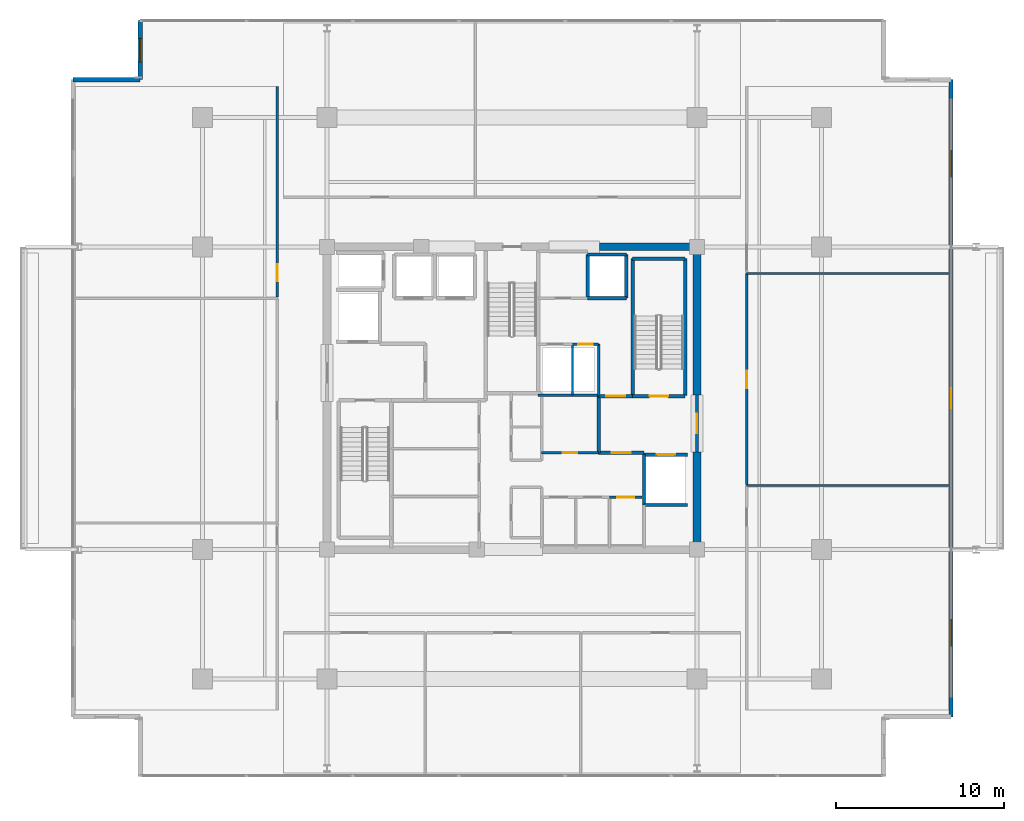
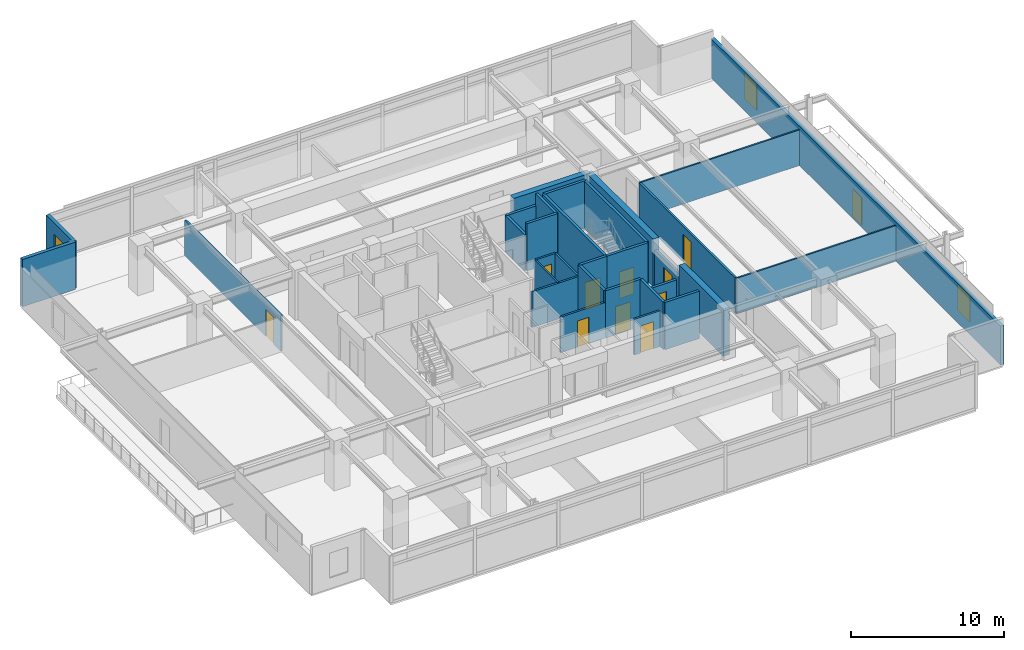
# One storey, part 19 of 24: 31 walls, 11 doors, 3 windows, 14 openings.
"""IFC4 building model written with IfcOpenShell, lengths in metres."""

from ifc_helpers import new_model, si_unit, direction, frame, frame_2d, origin, place, context, subcontext, project, spatial, rectangle, extrude, material, layer, layer_set, type_object, element, fill, save


model = new_model("IFC4")

# Units and contexts
model_context = context("Model", 3, precision=1e-05, world=origin(), true_north=direction((0.0, 1.0)))
body_context = subcontext(model_context, "Body", "Model", "MODEL_VIEW")
ifc_project = project(units=[si_unit("LENGTHUNIT", "METRE"), si_unit("AREAUNIT", "SQUARE_METRE"), si_unit("VOLUMEUNIT", "CUBIC_METRE"), si_unit("PLANEANGLEUNIT", "RADIAN"), si_unit("MASSUNIT", "GRAM", prefix="KILO")], contexts=[model_context])

# Site, building, storey
site_placement = place(None, origin())
site = spatial("IfcSite", under=ifc_project, at=site_placement, CompositionType="ELEMENT")
building_placement = place(site_placement, origin())
building = spatial("IfcBuilding", under=site, at=building_placement, Name="Kovane Verandah Tower", CompositionType="ELEMENT")
storey_placement = place(building_placement, frame((0.0, 0.0, 271.199951171875)))
storey = spatial("IfcBuildingStorey", under=building, at=storey_placement, Name="L63", CompositionType="ELEMENT", Elevation=271.199951171875)

# Wall
ifc_material_1 = material(Name="Fire-Rated Gypsum Stud Partition", Category="gypsum")
ifc_layer_1 = layer(ifc_material_1, 0.14990234375)
ifc_layer_set_1 = layer_set([ifc_layer_1], Name="Fire-Rated Gypsum Stud Partition")
wall_type_1 = type_object("IfcWallType", Name="WL-COR-150", PredefinedType="PARTITIONING", material=ifc_layer_set_1)
wall_1_placement = place(storey_placement, frame((41.56005859375, 27.679931640625, 0.0), z_axis=(0.0, 0.0, 1.0), x_axis=(1.0, 0.0, 0.0)))
element("IfcWall", 1, at=wall_1_placement, inside=storey, type_object=wall_type_1, Name="L63 East Core Service Riser South Wall", PredefinedType="PARTITIONING", context=body_context, shape_type="SweptSolid", body=[
    extrude(rectangle(XDim=3.58984375, YDim=0.14990234375, at=frame_2d((1.794921875, 0.0))), origin(), (0.0, 0.0, 1.0), 2.85009765625),
])

# Wall, opening, door
wall_2_placement = place(storey_placement, frame((45.800048828125, 21.6201171875, 0.0), z_axis=(0.0, 0.0, 1.0), x_axis=(1.0, 0.0, 0.0)))
wall_2 = element("IfcWall", 2, at=wall_2_placement, inside=storey, type_object=wall_type_1, Name="L63 Quiet Wellness Room Partition", PredefinedType="PARTITIONING", context=body_context, shape_type="SweptSolid", body=[
    extrude(rectangle(XDim=1.93994140625, YDim=0.14990234375, at=frame_2d((0.969970703125, 0.0))), origin(), (0.0, 0.0, 1.0), 2.85009765625),
])
opening_1_placement = place(wall_2_placement, frame((0.469970703125, 0.0, 0.0)))
opening_1 = element("IfcOpeningElement", 3, at=opening_1_placement, cuts=wall_2, Name="Opening DR-L63-019", PredefinedType="OPENING", context=body_context, shape_type="SweptSolid", body=[
    extrude(rectangle(XDim=1.0, YDim=2.14990234375, at=frame_2d((0.5, 1.074951171875))), frame((0.0, 0.074951171875, 0.0), z_axis=(0.0, -1.0, 0.0), x_axis=(1.0, 0.0, 0.0)), (0.0, 0.0, 1.0), 0.14990234375),
])
ifc_material_2 = material(Name="FSC Spotted-Gum Timber Fire-Rated Office Door", Category="wood")
door_type_1 = type_object("IfcDoorType", Name="DR-OFF-1000", OperationType="SINGLE_SWING_LEFT", PredefinedType="DOOR", material=ifc_material_2)
door_1_placement = place(opening_1_placement, origin())
door_1 = element("IfcDoor", 4, at=door_1_placement, inside=storey, type_object=door_type_1, Name="L63 Quiet Wellness Room Door", OperationType="SINGLE_SWING_LEFT", OverallHeight=2.14990234375, OverallWidth=1.0, PredefinedType="DOOR", context=body_context, shape_type="SweptSolid", body=[
    extrude(rectangle(XDim=1.0, YDim=2.14990234375, at=frame_2d((0.5, 1.074951171875))), frame((0.0, 0.02490234375, 0.0), z_axis=(0.0, -1.0, 0.0), x_axis=(1.0, 0.0, 0.0)), (0.0, 0.0, 1.0), 0.050048828125),
])
fill(opening_1, door_1)

wall_3_placement = place(storey_placement, frame((41.760009765625, 24.25, 0.0), z_axis=(0.0, 0.0, 1.0), x_axis=(1.0, 0.0, 0.0)))
wall_3 = element("IfcWall", 5, at=wall_3_placement, inside=storey, type_object=wall_type_1, Name="L63 Supply Store Partition", PredefinedType="PARTITIONING", context=body_context, shape_type="SweptSolid", body=[
    extrude(rectangle(XDim=3.389892578125, YDim=0.14990234375, at=frame_2d((1.69482421875, 0.0))), origin(), (0.0, 0.0, 1.0), 2.85009765625),
])
opening_2_placement = place(wall_3_placement, frame((1.2548828125, 0.0, 0.0)))
opening_2 = element("IfcOpeningElement", 6, at=opening_2_placement, cuts=wall_3, Name="Opening DR-L63-020", PredefinedType="OPENING", context=body_context, shape_type="SweptSolid", body=[
    extrude(rectangle(XDim=0.8798828125, YDim=2.10009765625, at=frame_2d((0.43994140625, 1.050048828125))), frame((0.0, 0.074951171875, 0.0), z_axis=(0.0, -1.0, 0.0), x_axis=(1.0, 0.0, 0.0)), (0.0, 0.0, 1.0), 0.14990234375),
])
ifc_material_3 = material(Name="Fire-Rated Steel Riser Access Door", Category="steel")
door_type_2 = type_object("IfcDoorType", Name="DR-RISER-880", OperationType="SINGLE_SWING_LEFT", PredefinedType="DOOR", material=ifc_material_3)
door_2_placement = place(opening_2_placement, origin())
door_2 = element("IfcDoor", 7, at=door_2_placement, inside=storey, type_object=door_type_2, Name="L63 Supply Store Door", OperationType="SINGLE_SWING_RIGHT", OverallHeight=2.10009765625, OverallWidth=0.8798828125, PredefinedType="DOOR", context=body_context, shape_type="SweptSolid", body=[
    extrude(rectangle(XDim=0.8798828125, YDim=2.10009765625, at=frame_2d((0.43994140625, 1.050048828125))), frame((0.0, 0.02490234375, 0.0), z_axis=(0.0, -1.0, 0.0), x_axis=(1.0, 0.0, 0.0)), (0.0, 0.0, 1.0), 0.050048828125),
])
fill(opening_2, door_2)

# Wall
wall_4_placement = place(storey_placement, frame((45.14990234375, 27.6201171875, 0.0), z_axis=(0.0, 0.0, 1.0), x_axis=(0.0, 1.0, 0.0)))
element("IfcWall", 8, at=wall_4_placement, inside=storey, type_object=wall_type_1, Name="L63 East Core Service Riser East Wall", PredefinedType="PARTITIONING", context=body_context, shape_type="SweptSolid", body=[
    extrude(rectangle(XDim=3.099853515625, YDim=0.14990234375, at=frame_2d((1.5498046875, 0.0))), origin(), (0.0, 0.0, 1.0), 2.85009765625),
])

# Wall, opening, door
wall_5_placement = place(storey_placement, frame((43.60009765625, 30.719970703125, 0.0), z_axis=(0.0, 0.0, 1.0), x_axis=(1.0, 0.0, 0.0)))
wall_5 = element("IfcWall", 9, at=wall_5_placement, inside=storey, type_object=wall_type_1, Name="L63 Sprinkler Wet Riser Room Partition", PredefinedType="PARTITIONING", context=body_context, shape_type="SweptSolid", body=[
    extrude(rectangle(XDim=1.5498046875, YDim=0.14990234375, at=frame_2d((0.77490234375, 0.0))), origin(), (0.0, 0.0, 1.0), 2.85009765625),
])
opening_3_placement = place(wall_5_placement, frame((0.3349609375, 0.0, 0.0)))
opening_3 = element("IfcOpeningElement", 10, at=opening_3_placement, cuts=wall_5, Name="Opening DR-L63-023", PredefinedType="OPENING", context=body_context, shape_type="SweptSolid", body=[
    extrude(rectangle(XDim=0.8798828125, YDim=2.10009765625, at=frame_2d((0.43994140625, 1.050048828125))), frame((0.0, 0.074951171875, 0.0), z_axis=(0.0, -1.0, 0.0), x_axis=(1.0, 0.0, 0.0)), (0.0, 0.0, 1.0), 0.14990234375),
])
door_3_placement = place(opening_3_placement, origin())
door_3 = element("IfcDoor", 11, at=door_3_placement, inside=storey, type_object=door_type_2, Name="L63 Sprinkler Wet Riser Room Door", OperationType="SINGLE_SWING_RIGHT", OverallHeight=2.10009765625, OverallWidth=0.8798828125, PredefinedType="DOOR", context=body_context, shape_type="SweptSolid", body=[
    extrude(rectangle(XDim=0.8798828125, YDim=2.10009765625, at=frame_2d((0.43994140625, 1.050048828125))), frame((0.0, 0.02490234375, 0.0), z_axis=(0.0, -1.0, 0.0), x_axis=(1.0, 0.0, 0.0)), (0.0, 0.0, 1.0), 0.050048828125),
])
fill(opening_3, door_3)

wall_6_placement = place(storey_placement, frame((26.050048828125, 33.505859375, 0.0), z_axis=(0.0, 0.0, 1.0), x_axis=(0.0, 1.0, 0.0)))
wall_6 = element("IfcWall", 12, at=wall_6_placement, inside=storey, type_object=wall_type_1, Name="L63 Document and Print Room W3 Corridor Partition", PredefinedType="PARTITIONING", context=body_context, shape_type="SweptSolid", body=[
    extrude(rectangle(XDim=12.543701171875, YDim=0.14990234375, at=frame_2d((6.27197265625, 0.0))), origin(), (0.0, 0.0, 1.0), 2.85009765625),
])
opening_4_placement = place(wall_6_placement, frame((0.947021484375, 0.0, 0.0)))
opening_4 = element("IfcOpeningElement", 13, at=opening_4_placement, cuts=wall_6, Name="Opening DR-L63-034", PredefinedType="OPENING", context=body_context, shape_type="SweptSolid", body=[
    extrude(rectangle(XDim=1.0, YDim=2.14990234375, at=frame_2d((0.5, 1.074951171875))), frame((0.0, 0.074951171875, 0.0), z_axis=(0.0, -1.0, 0.0), x_axis=(1.0, 0.0, 0.0)), (0.0, 0.0, 1.0), 0.14990234375),
])
door_4_placement = place(opening_4_placement, origin())
door_4 = element("IfcDoor", 14, at=door_4_placement, inside=storey, type_object=door_type_1, Name="L63 Document and Print Room W3 Entrance Door", OperationType="SINGLE_SWING_LEFT", OverallHeight=2.14990234375, OverallWidth=1.0, PredefinedType="DOOR", context=body_context, shape_type="SweptSolid", body=[
    extrude(rectangle(XDim=1.0, YDim=2.14990234375, at=frame_2d((0.5, 1.074951171875))), frame((0.0, 0.02490234375, 0.0), z_axis=(0.0, -1.0, 0.0), x_axis=(1.0, 0.0, 0.0)), (0.0, 0.0, 1.0), 0.050048828125),
])
fill(opening_4, door_4)

wall_7_placement = place(storey_placement, frame((53.949951171875, 22.376220703125, 0.0), z_axis=(0.0, 0.0, 1.0), x_axis=(0.0, 1.0, 0.0)))
wall_7 = element("IfcWall", 15, at=wall_7_placement, inside=storey, type_object=wall_type_1, Name="L63 Executive Office E2 Corridor Partition", PredefinedType="PARTITIONING", context=body_context, shape_type="SweptSolid", body=[
    extrude(rectangle(XDim=12.543701171875, YDim=0.14990234375, at=frame_2d((6.27197265625, 0.0))), origin(), (0.0, 0.0, 1.0), 2.85009765625),
])
opening_5_placement = place(wall_7_placement, frame((5.7119140625, 0.0, 0.0)))
opening_5 = element("IfcOpeningElement", 16, at=opening_5_placement, cuts=wall_7, Name="Opening DR-L63-012", PredefinedType="OPENING", context=body_context, shape_type="SweptSolid", body=[
    extrude(rectangle(XDim=1.050048828125, YDim=2.199951171875, at=frame_2d((0.52490234375, 1.10009765625))), frame((0.0, 0.074951171875, 0.0), z_axis=(0.0, -1.0, 0.0), x_axis=(1.0, 0.0, 0.0)), (0.0, 0.0, 1.0), 0.14990234375),
])
ifc_material_4 = material(Name="FSC Blackbutt Timber Fire-Rated Executive Door", Category="wood")
door_type_3 = type_object("IfcDoorType", Name="DR-EXEC-1050", OperationType="SINGLE_SWING_LEFT", PredefinedType="DOOR", material=ifc_material_4)
door_5_placement = place(opening_5_placement, origin())
door_5 = element("IfcDoor", 17, at=door_5_placement, inside=storey, type_object=door_type_3, Name="L63 Executive Office E2 Entrance Door", OperationType="SINGLE_SWING_LEFT", OverallHeight=2.199951171875, OverallWidth=1.050048828125, PredefinedType="DOOR", context=body_context, shape_type="SweptSolid", body=[
    extrude(rectangle(XDim=1.050048828125, YDim=2.199951171875, at=frame_2d((0.52490234375, 1.10009765625))), frame((0.0, 0.02490234375, 0.0), z_axis=(0.0, -1.0, 0.0), x_axis=(1.0, 0.0, 0.0)), (0.0, 0.0, 1.0), 0.050048828125),
])
fill(opening_5, door_5)

# Walls
ifc_material_5 = material(Name="Concrete C60/75", Category="concrete")
ifc_layer_2 = layer(ifc_material_5, 0.449951171875)
ifc_layer_set_2 = layer_set([ifc_layer_2], Name="Concrete C60/75")
wall_type_2 = type_object("IfcWallType", Name="WL-CORE-450", PredefinedType="SHEAR", material=ifc_layer_set_2)
for number, where, z_axis, x_axis, name in (
    (18, (45.199951171875, 36.5, 0.0), (0.0, 0.0, 1.0), (1.0, 0.0, 0.0), "L63 Core Shear Wall CN-3"),
    (19, (51.0, 18.5, 0.0), (0.0, 0.0, 1.0), (0.0, 1.0, 0.0), "L63 Core Shear Wall CE-1"),
):
    element("IfcWall", number, at=place(storey_placement, frame(where, z_axis=z_axis, x_axis=x_axis)), inside=storey, type_object=wall_type_2, Name=name, PredefinedType="SHEAR", context=body_context, shape_type="SweptSolid", body=[
        extrude(rectangle(XDim=5.800048828125, YDim=0.449951171875, at=frame_2d((2.89990234375, 0.0))), origin(), (0.0, 0.0, 1.0), 3.78515625),
    ])
wall_8_placement = place(storey_placement, frame((51.0, 27.699951171875, 0.0), z_axis=(0.0, 0.0, 1.0), x_axis=(0.0, 1.0, 0.0)))
element("IfcWall", 20, at=wall_8_placement, inside=storey, type_object=wall_type_2, Name="L63 Core Shear Wall CE-2", PredefinedType="SHEAR", context=body_context, shape_type="SweptSolid", body=[
    extrude(rectangle(XDim=8.800048828125, YDim=0.449951171875, at=frame_2d((4.39990234375, 0.0))), origin(), (0.0, 0.0, 1.0), 3.78515625),
])
ifc_material_6 = material(Name="Concrete C45/55 Fire Wall", Category="concrete")
ifc_layer_3 = layer(ifc_material_6, 0.199951171875)
ifc_layer_set_3 = layer_set([ifc_layer_3], Name="Concrete C45/55 Fire Wall")
wall_type_3 = type_object("IfcWallType", Name="WL-FFL-200", PredefinedType="PARTITIONING", material=ifc_layer_set_3)
wall_9_placement = place(storey_placement, frame((45.14990234375, 24.25, 0.0), z_axis=(0.0, 0.0, 1.0), x_axis=(0.0, 1.0, 0.0)))
element("IfcWall", 21, at=wall_9_placement, inside=storey, type_object=wall_type_3, Name="L63 East Firefighting Lobby West Fire Wall", PredefinedType="PARTITIONING", context=body_context, shape_type="SweptSolid", body=[
    extrude(rectangle(XDim=3.3701171875, YDim=0.199951171875, at=frame_2d((1.68505859375, 0.0))), origin(), (0.0, 0.0, 1.0), 3.78515625),
])

# Wall, opening, door
wall_10_placement = place(storey_placement, frame((45.14990234375, 24.25, 0.0), z_axis=(0.0, 0.0, 1.0), x_axis=(1.0, 0.0, 0.0)))
wall_10 = element("IfcWall", 22, at=wall_10_placement, inside=storey, type_object=wall_type_3, Name="W-L63-FFLE-S", PredefinedType="PARTITIONING", context=body_context, shape_type="SweptSolid", body=[
    extrude(rectangle(XDim=2.7001953125, YDim=0.199951171875, at=frame_2d((1.35009765625, 0.0))), origin(), (0.0, 0.0, 1.0), 3.78515625),
])
opening_6_placement = place(wall_10_placement, frame((0.77490234375, 0.0, 0.0)))
opening_6 = element("IfcOpeningElement", 23, at=opening_6_placement, cuts=wall_10, Name="Opening DR-L63-003", PredefinedType="OPENING", context=body_context, shape_type="SweptSolid", body=[
    extrude(rectangle(XDim=1.14990234375, YDim=2.199951171875, at=frame_2d((0.574951171875, 1.10009765625))), frame((0.0, 0.10009765625, 0.0), z_axis=(0.0, -1.0, 0.0), x_axis=(1.0, 0.0, 0.0)), (0.0, 0.0, 1.0), 0.199951171875),
])
ifc_material_7 = material(Name="Smoke-Sealed Firefighting Lobby Door", Category="steel")
door_type_4 = type_object("IfcDoorType", Name="DR-FFL-1150", OperationType="SINGLE_SWING_LEFT", PredefinedType="DOOR", material=ifc_material_7)
door_6_placement = place(opening_6_placement, origin())
door_6 = element("IfcDoor", 24, at=door_6_placement, inside=storey, type_object=door_type_4, Name="L63 East Firefighting Lobby Inner Door", OperationType="SINGLE_SWING_RIGHT", OverallHeight=2.199951171875, OverallWidth=1.14990234375, PredefinedType="DOOR", context=body_context, shape_type="SweptSolid", body=[
    extrude(rectangle(XDim=1.14990234375, YDim=2.199951171875, at=frame_2d((0.574951171875, 1.10009765625))), frame((0.0, 0.02490234375, 0.0), z_axis=(0.0, -1.0, 0.0), x_axis=(1.0, 0.0, 0.0)), (0.0, 0.0, 1.0), 0.050048828125),
])
fill(opening_6, door_6)

wall_11_placement = place(storey_placement, frame((45.14990234375, 27.6201171875, 0.0), z_axis=(0.0, 0.0, 1.0), x_axis=(1.0, 0.0, 0.0)))
wall_11 = element("IfcWall", 25, at=wall_11_placement, inside=storey, type_object=wall_type_3, Name="W-L63-FFLE-N", PredefinedType="PARTITIONING", context=body_context, shape_type="SweptSolid", body=[
    extrude(rectangle(XDim=2.030029296875, YDim=0.199951171875, at=frame_2d((1.01513671875, 0.0))), origin(), (0.0, 0.0, 1.0), 3.78515625),
])
opening_7_placement = place(wall_11_placement, frame((0.43994140625, 0.0, 0.0)))
opening_7 = element("IfcOpeningElement", 26, at=opening_7_placement, cuts=wall_11, Name="Opening DR-L63-004", PredefinedType="OPENING", context=body_context, shape_type="SweptSolid", body=[
    extrude(rectangle(XDim=1.14990234375, YDim=2.199951171875, at=frame_2d((0.574951171875, 1.10009765625))), frame((0.0, 0.10009765625, 0.0), z_axis=(0.0, -1.0, 0.0), x_axis=(1.0, 0.0, 0.0)), (0.0, 0.0, 1.0), 0.199951171875),
])
door_7_placement = place(opening_7_placement, origin())
door_7 = element("IfcDoor", 27, at=door_7_placement, inside=storey, type_object=door_type_4, Name="L63 East Firefighting Lobby Shuttle Link Door", OperationType="SINGLE_SWING_LEFT", OverallHeight=2.199951171875, OverallWidth=1.14990234375, PredefinedType="DOOR", context=body_context, shape_type="SweptSolid", body=[
    extrude(rectangle(XDim=1.14990234375, YDim=2.199951171875, at=frame_2d((0.574951171875, 1.10009765625))), frame((0.0, 0.02490234375, 0.0), z_axis=(0.0, -1.0, 0.0), x_axis=(1.0, 0.0, 0.0)), (0.0, 0.0, 1.0), 0.050048828125),
])
fill(opening_7, door_7)

wall_12_placement = place(storey_placement, frame((51.0, 24.300048828125, 0.0), z_axis=(0.0, 0.0, 1.0), x_axis=(0.0, 1.0, 0.0)))
wall_12 = element("IfcWall", 28, at=wall_12_placement, inside=storey, type_object=wall_type_3, Name="W-L63-FFLE-OUT", PredefinedType="PARTITIONING", context=body_context, shape_type="SweptSolid", body=[
    extrude(rectangle(XDim=3.39990234375, YDim=0.199951171875, at=frame_2d((1.699951171875, 0.0))), origin(), (0.0, 0.0, 1.0), 2.864990234375),
])
opening_8_placement = place(wall_12_placement, frame((1.125, 0.0, 0.0)))
opening_8 = element("IfcOpeningElement", 29, at=opening_8_placement, cuts=wall_12, Name="Opening DR-L63-005", PredefinedType="OPENING", context=body_context, shape_type="SweptSolid", body=[
    extrude(rectangle(XDim=1.14990234375, YDim=2.199951171875, at=frame_2d((0.574951171875, 1.10009765625))), frame((0.0, 0.10009765625, 0.0), z_axis=(0.0, -1.0, 0.0), x_axis=(1.0, 0.0, 0.0)), (0.0, 0.0, 1.0), 0.199951171875),
])
door_8_placement = place(opening_8_placement, origin())
door_8 = element("IfcDoor", 30, at=door_8_placement, inside=storey, type_object=door_type_4, Name="L63 East Firefighting Lobby Corridor Door", OperationType="SINGLE_SWING_LEFT", OverallHeight=2.199951171875, OverallWidth=1.14990234375, PredefinedType="DOOR", context=body_context, shape_type="SweptSolid", body=[
    extrude(rectangle(XDim=1.14990234375, YDim=2.199951171875, at=frame_2d((0.574951171875, 1.10009765625))), frame((0.0, 0.02490234375, 0.0), z_axis=(0.0, -1.0, 0.0), x_axis=(1.0, 0.0, 0.0)), (0.0, 0.0, 1.0), 0.050048828125),
])
fill(opening_8, door_8)

# Wall
ifc_material_8 = material(Name="Concrete C45/55 Lift Shaft Wall", Category="concrete")
ifc_layer_4 = layer(ifc_material_8, 0.199951171875)
ifc_layer_set_4 = layer_set([ifc_layer_4], Name="Concrete C45/55 Lift Shaft Wall")
wall_type_4 = type_object("IfcWallType", Name="WL-LIFT-200", PredefinedType="SOLIDWALL", material=ifc_layer_set_4)
wall_13_placement = place(storey_placement, frame((47.85009765625, 21.14990234375, 0.0), z_axis=(0.0, 0.0, 1.0), x_axis=(1.0, 0.0, 0.0)))
element("IfcWall", 31, at=wall_13_placement, inside=storey, type_object=wall_type_4, Name="L63 Lift FL-02 S Shaft Wall", PredefinedType="SOLIDWALL", context=body_context, shape_type="SweptSolid", body=[
    extrude(rectangle(XDim=2.599853515625, YDim=0.199951171875, at=frame_2d((1.2998046875, 0.0))), origin(), (0.0, 0.0, 1.0), 3.78515625),
])

# Wall, opening, door
wall_14_placement = place(storey_placement, frame((50.449951171875, 24.14990234375, 0.0), z_axis=(0.0, 0.0, 1.0), x_axis=(-1.0, 0.0, 0.0)))
wall_14 = element("IfcWall", 32, at=wall_14_placement, inside=storey, type_object=wall_type_4, Name="L63 Lift FL-02 N Shaft Wall", PredefinedType="SOLIDWALL", context=body_context, shape_type="SweptSolid", body=[
    extrude(rectangle(XDim=2.599853515625, YDim=0.199951171875, at=frame_2d((1.2998046875, 0.0))), origin(), (0.0, 0.0, 1.0), 2.864990234375),
])
opening_9_placement = place(wall_14_placement, frame((0.75, 0.0, 0.0)))
opening_9 = element("IfcOpeningElement", 33, at=opening_9_placement, cuts=wall_14, Name="Opening LD-L63-002", PredefinedType="OPENING", context=body_context, shape_type="SweptSolid", body=[
    extrude(rectangle(XDim=1.10009765625, YDim=2.199951171875, at=frame_2d((0.550048828125, 1.10009765625))), frame((0.0, 0.10009765625, 0.0), z_axis=(0.0, -1.0, 0.0), x_axis=(1.0, 0.0, 0.0)), (0.0, 0.0, 1.0), 0.199951171875),
])
ifc_material_9 = material(Name="Brushed Stainless Steel Sliding Lift Landing Door", Category="steel")
door_type_5 = type_object("IfcDoorType", Name="DR-LIFT-1100", OperationType="SLIDING_TO_RIGHT", PredefinedType="DOOR", material=ifc_material_9)
door_9_placement = place(opening_9_placement, origin())
door_9 = element("IfcDoor", 34, at=door_9_placement, inside=storey, type_object=door_type_5, Name="L63 Lift FL-02 Sliding Landing Door", OperationType="SLIDING_TO_RIGHT", OverallHeight=2.199951171875, OverallWidth=1.10009765625, PredefinedType="DOOR", context=body_context, shape_type="SweptSolid", body=[
    extrude(rectangle(XDim=1.10009765625, YDim=2.199951171875, at=frame_2d((0.550048828125, 1.10009765625))), frame((0.0, 0.02490234375, 0.0), z_axis=(0.0, -1.0, 0.0), x_axis=(1.0, 0.0, 0.0)), (0.0, 0.0, 1.0), 0.050048828125),
])
fill(opening_9, door_9)

# Walls
wall_15_placement = place(storey_placement, frame((47.85009765625, 24.14990234375, 0.0), z_axis=(0.0, 0.0, 1.0), x_axis=(0.0, -1.0, 0.0)))
element("IfcWall", 35, at=wall_15_placement, inside=storey, type_object=wall_type_4, Name="L63 Lift FL-02 W Shaft Wall", PredefinedType="SOLIDWALL", context=body_context, shape_type="SweptSolid", body=[
    extrude(rectangle(XDim=3.0, YDim=0.199951171875, at=frame_2d((1.5, 0.0))), origin(), (0.0, 0.0, 1.0), 3.78515625),
])
wall_16_placement = place(storey_placement, frame((44.5, 33.449951171875, 0.0), z_axis=(0.0, 0.0, 1.0), x_axis=(1.0, 0.0, 0.0)))
element("IfcWall", 36, at=wall_16_placement, inside=storey, type_object=wall_type_4, Name="L63 Lift OL-01 S Shaft Wall", PredefinedType="SOLIDWALL", context=body_context, shape_type="SweptSolid", body=[
    extrude(rectangle(XDim=2.300048828125, YDim=0.199951171875, at=frame_2d((1.14990234375, 0.0))), origin(), (0.0, 0.0, 1.0), 3.78515625),
])
wall_17_placement = place(storey_placement, frame((46.800048828125, 36.050048828125, 0.0), z_axis=(0.0, 0.0, 1.0), x_axis=(-1.0, 0.0, 0.0)))
element("IfcWall", 37, at=wall_17_placement, inside=storey, type_object=wall_type_4, Name="L63 Lift OL-01 N Shaft Wall", PredefinedType="SOLIDWALL", context=body_context, shape_type="SweptSolid", body=[
    extrude(rectangle(XDim=2.300048828125, YDim=0.199951171875, at=frame_2d((1.14990234375, 0.0))), origin(), (0.0, 0.0, 1.0), 2.864990234375),
])
wall_18_placement = place(storey_placement, frame((44.5, 36.050048828125, 0.0), z_axis=(0.0, 0.0, 1.0), x_axis=(0.0, -1.0, 0.0)))
element("IfcWall", 38, at=wall_18_placement, inside=storey, type_object=wall_type_4, Name="L63 Lift OL-01 W Shaft Wall", PredefinedType="SOLIDWALL", context=body_context, shape_type="SweptSolid", body=[
    extrude(rectangle(XDim=2.60009765625, YDim=0.199951171875, at=frame_2d((1.300048828125, 0.0))), origin(), (0.0, 0.0, 1.0), 2.864990234375),
])
wall_19_placement = place(storey_placement, frame((46.800048828125, 33.449951171875, 0.0), z_axis=(0.0, 0.0, 1.0), x_axis=(0.0, 1.0, 0.0)))
element("IfcWall", 39, at=wall_19_placement, inside=storey, type_object=wall_type_4, Name="L63 Lift OL-01 E Shaft Wall", PredefinedType="SOLIDWALL", context=body_context, shape_type="SweptSolid", body=[
    extrude(rectangle(XDim=2.60009765625, YDim=0.199951171875, at=frame_2d((1.300048828125, 0.0))), origin(), (0.0, 0.0, 1.0), 3.78515625),
])
ifc_material_10 = material(Name="Acoustic Fire-Rated Gypsum Partition", Category="gypsum")
ifc_layer_5 = layer(ifc_material_10, 0.1201171875)
ifc_layer_set_5 = layer_set([ifc_layer_5], Name="Acoustic Fire-Rated Gypsum Partition")
wall_type_5 = type_object("IfcWallType", Name="WL-PART-120", PredefinedType="PARTITIONING", material=ifc_layer_set_5)
wall_20_placement = place(storey_placement, frame((43.60009765625, 27.679931640625, 0.0), z_axis=(0.0, 0.0, 1.0), x_axis=(0.0, 1.0, 0.0)))
element("IfcWall", 40, at=wall_20_placement, inside=storey, type_object=wall_type_5, Name="L63 Service Riser Dividing Partition", PredefinedType="PARTITIONING", context=body_context, shape_type="SweptSolid", body=[
    extrude(rectangle(XDim=3.0400390625, YDim=0.1201171875, at=frame_2d((1.52001953125, 0.0))), origin(), (0.0, 0.0, 1.0), 2.85009765625),
])
for number, where, z_axis, x_axis, name in (
    (41, (53.949951171875, 22.30615234375, 0.0), (0.0, 0.0, 1.0), (1.0, 0.0, 0.0), "L63 Open Plan Office E1 Dividing Partition"),
    (42, (53.949951171875, 34.919921875, 0.0), (0.0, 0.0, 1.0), (1.0, 0.0, 0.0), "L63 Executive Office E2 Dividing Partition"),
):
    element("IfcWall", number, at=place(storey_placement, frame(where, z_axis=z_axis, x_axis=x_axis)), inside=storey, type_object=wall_type_5, Name=name, PredefinedType="PARTITIONING", context=body_context, shape_type="SweptSolid", body=[
        extrude(rectangle(XDim=12.05712890625, YDim=0.1201171875, at=frame_2d((6.028564453125, 0.0))), origin(), (0.0, 0.0, 1.0), 2.85009765625),
    ])
ifc_material_11 = material(Name="Concrete C45/55", Category="concrete")
ifc_layer_6 = layer(ifc_material_11, 0.199951171875)
ifc_layer_set_6 = layer_set([ifc_layer_6], Name="Concrete C45/55")
wall_type_6 = type_object("IfcWallType", Name="WL-SHAFT-200", PredefinedType="SOLIDWALL", material=ifc_layer_set_6)
wall_21_placement = place(storey_placement, frame((50.300048828125, 27.64990234375, 0.0), z_axis=(0.0, 0.0, 1.0), x_axis=(0.0, 1.0, 0.0)))
element("IfcWall", 43, at=wall_21_placement, inside=storey, type_object=wall_type_6, Name="W-L63-ST02-E", PredefinedType="SOLIDWALL", context=body_context, shape_type="SweptSolid", body=[
    extrude(rectangle(XDim=8.150146484375, YDim=0.199951171875, at=frame_2d((4.0751953125, 0.0))), origin(), (0.0, 0.0, 1.0), 3.78515625),
])
wall_22_placement = place(storey_placement, frame((47.179931640625, 35.800048828125, 0.0), z_axis=(0.0, 0.0, 1.0), x_axis=(1.0, 0.0, 0.0)))
element("IfcWall", 44, at=wall_22_placement, inside=storey, type_object=wall_type_6, Name="W-L63-ST02-N", PredefinedType="SOLIDWALL", context=body_context, shape_type="SweptSolid", body=[
    extrude(rectangle(XDim=3.1201171875, YDim=0.199951171875, at=frame_2d((1.56005859375, 0.0))), origin(), (0.0, 0.0, 1.0), 3.78515625),
])
wall_23_placement = place(storey_placement, frame((47.179931640625, 27.6201171875, 0.0), z_axis=(0.0, 0.0, 1.0), x_axis=(0.0, 1.0, 0.0)))
element("IfcWall", 45, at=wall_23_placement, inside=storey, type_object=wall_type_6, Name="W-L63-ST02-W", PredefinedType="SOLIDWALL", context=body_context, shape_type="SweptSolid", body=[
    extrude(rectangle(XDim=8.179931640625, YDim=0.199951171875, at=frame_2d((4.08984375, 0.0))), origin(), (0.0, 0.0, 1.0), 3.78515625),
])

# Wall, opening, door
wall_24_placement = place(storey_placement, frame((47.179931640625, 27.6201171875, 0.0), z_axis=(0.0, 0.0, 1.0), x_axis=(1.0, 0.0, 0.0)))
wall_24 = element("IfcWall", 46, at=wall_24_placement, inside=storey, type_object=wall_type_6, Name="W-L63-ST02-S", PredefinedType="SOLIDWALL", context=body_context, shape_type="SweptSolid", body=[
    extrude(rectangle(XDim=3.1201171875, YDim=0.199951171875, at=frame_2d((1.56005859375, 0.0))), origin(), (0.0, 0.0, 1.0), 3.78515625),
])
opening_10_placement = place(wall_24_placement, frame((1.010009765625, 0.0, 0.0)))
opening_10 = element("IfcOpeningElement", 47, at=opening_10_placement, cuts=wall_24, Name="Opening DR-L63-009", PredefinedType="OPENING", context=body_context, shape_type="SweptSolid", body=[
    extrude(rectangle(XDim=1.10009765625, YDim=2.14990234375, at=frame_2d((0.550048828125, 1.074951171875))), frame((0.0, 0.10009765625, 0.0), z_axis=(0.0, -1.0, 0.0), x_axis=(1.0, 0.0, 0.0)), (0.0, 0.0, 1.0), 0.199951171875),
])
ifc_material_12 = material(Name="Fire-Rated Steel Exit Door", Category="steel")
door_type_6 = type_object("IfcDoorType", Name="DR-STAIR-1100", OperationType="SINGLE_SWING_LEFT", PredefinedType="DOOR", material=ifc_material_12)
door_10_placement = place(opening_10_placement, origin())
door_10 = element("IfcDoor", 48, at=door_10_placement, inside=storey, type_object=door_type_6, Name="L63 ST-02 Fire Exit Stair Door", OperationType="SINGLE_SWING_LEFT", OverallHeight=2.14990234375, OverallWidth=1.10009765625, PredefinedType="DOOR", context=body_context, shape_type="SweptSolid", body=[
    extrude(rectangle(XDim=1.10009765625, YDim=2.14990234375, at=frame_2d((0.550048828125, 1.074951171875))), frame((0.0, 0.02490234375, 0.0), z_axis=(0.0, -1.0, 0.0), x_axis=(1.0, 0.0, 0.0)), (0.0, 0.0, 1.0), 0.050048828125),
])
fill(opening_10, door_10)

# Wall, openings, door, windows
ifc_material_13 = material(Name="Concrete C45/55 Insulated Spandrel Wall", Category="concrete")
ifc_layer_7 = layer(ifc_material_13, 0.260009765625)
ifc_layer_set_7 = layer_set([ifc_layer_7], Name="Concrete C45/55 Insulated Spandrel Wall")
wall_type_7 = type_object("IfcWallType", Name="WL-SPANDREL-260", PredefinedType="PARAPET", material=ifc_layer_set_7)
wall_25_placement = place(storey_placement, frame((66.107177734375, 8.55029296875, 0.0), z_axis=(0.0, 0.0, 1.0), x_axis=(0.0, 1.0, 0.0)))
wall_25 = element("IfcWall", 49, at=wall_25_placement, inside=storey, type_object=wall_type_7, Name="L63 E Verandah Access Facade Wall", PredefinedType="PARAPET", context=body_context, shape_type="SweptSolid", body=[
    extrude(rectangle(XDim=37.8994140625, YDim=0.260009765625, at=frame_2d((18.94970703125, 0.0))), origin(), (0.0, 0.0, 1.0), 3.122802734375),
])
opening_11_placement = place(wall_25_placement, frame((4.199951171875, 0.0, 0.85009765625)))
opening_11 = element("IfcOpeningElement", 50, at=opening_11_placement, cuts=wall_25, Name="Opening W-02", PredefinedType="OPENING", context=body_context, shape_type="SweptSolid", body=[
    extrude(rectangle(XDim=1.60009765625, YDim=2.10009765625, at=frame_2d((0.800048828125, 1.050048828125))), frame((0.0, 0.1298828125, 0.0), z_axis=(0.0, -1.0, 0.0), x_axis=(1.0, 0.0, 0.0)), (0.0, 0.0, 1.0), 0.260009765625),
])
opening_12_placement = place(wall_25_placement, frame((18.349609375, 0.0, 0.0)))
opening_12 = element("IfcOpeningElement", 51, at=opening_12_placement, cuts=wall_25, Name="Opening DR-L63-001", PredefinedType="OPENING", context=body_context, shape_type="SweptSolid", body=[
    extrude(rectangle(XDim=1.199951171875, YDim=2.199951171875, at=frame_2d((0.60009765625, 1.10009765625))), frame((0.0, 0.1298828125, 0.0), z_axis=(0.0, -1.0, 0.0), x_axis=(1.0, 0.0, 0.0)), (0.0, 0.0, 1.0), 0.260009765625),
])
opening_13_placement = place(wall_25_placement, frame((32.09912109375, 0.0, 0.85009765625)))
opening_13 = element("IfcOpeningElement", 52, at=opening_13_placement, cuts=wall_25, Name="Opening W-02", PredefinedType="OPENING", context=body_context, shape_type="SweptSolid", body=[
    extrude(rectangle(XDim=1.60009765625, YDim=2.10009765625, at=frame_2d((0.800048828125, 1.050048828125))), frame((0.0, 0.1298828125, 0.0), z_axis=(0.0, -1.0, 0.0), x_axis=(1.0, 0.0, 0.0)), (0.0, 0.0, 1.0), 0.260009765625),
])
ifc_material_14 = material(Name="Cyclone-Rated Glazed Balcony Leaf Door", Category="aluminium")
door_type_7 = type_object("IfcDoorType", Name="DR-BAL-1200x2200", OperationType="SINGLE_SWING_LEFT", PredefinedType="DOOR", material=ifc_material_14)
door_11_placement = place(opening_12_placement, origin())
door_11 = element("IfcDoor", 53, at=door_11_placement, inside=storey, type_object=door_type_7, Name="L63 E Planted Balcony Access Door", OperationType="SINGLE_SWING_LEFT", OverallHeight=2.199951171875, OverallWidth=1.199951171875, PredefinedType="DOOR", context=body_context, shape_type="SweptSolid", body=[
    extrude(rectangle(XDim=1.199951171875, YDim=2.199951171875, at=frame_2d((0.60009765625, 1.10009765625))), frame((0.0, 0.02490234375, 0.0), z_axis=(0.0, -1.0, 0.0), x_axis=(1.0, 0.0, 0.0)), (0.0, 0.0, 1.0), 0.050048828125),
])
fill(opening_12, door_11)
ifc_material_15 = material(Name="Clear Low-E Laminated Double Glazing in Anodised Frame", Category="glass")
window_type_1 = type_object("IfcWindowType", Name="WN-OPER-1600x2100", PartitioningType="SINGLE_PANEL", PredefinedType="WINDOW", material=ifc_material_15)
window_1_placement = place(opening_11_placement, origin())
window_1 = element("IfcWindow", 54, at=window_1_placement, inside=storey, type_object=window_type_1, Name="L63 E Verandah View Window 1", OverallHeight=2.10009765625, OverallWidth=1.60009765625, PartitioningType="SINGLE_PANEL", PredefinedType="WINDOW", context=body_context, shape_type="SweptSolid", body=[
    extrude(rectangle(XDim=1.60009765625, YDim=2.10009765625, at=frame_2d((0.800048828125, 1.050048828125))), frame((0.0, 0.030029296875, 0.0), z_axis=(0.0, -1.0, 0.0), x_axis=(1.0, 0.0, 0.0)), (0.0, 0.0, 1.0), 0.06005859375),
])
fill(opening_11, window_1)
window_2_placement = place(opening_13_placement, origin())
window_2 = element("IfcWindow", 55, at=window_2_placement, inside=storey, type_object=window_type_1, Name="L63 E Verandah View Window 2", OverallHeight=2.10009765625, OverallWidth=1.60009765625, PartitioningType="SINGLE_PANEL", PredefinedType="WINDOW", context=body_context, shape_type="SweptSolid", body=[
    extrude(rectangle(XDim=1.60009765625, YDim=2.10009765625, at=frame_2d((0.800048828125, 1.050048828125))), frame((0.0, 0.030029296875, 0.0), z_axis=(0.0, -1.0, 0.0), x_axis=(1.0, 0.0, 0.0)), (0.0, 0.0, 1.0), 0.06005859375),
])
fill(opening_13, window_2)

# Wall, opening, window
wall_26_placement = place(storey_placement, frame((17.892822265625, 49.94970703125, 0.0), z_axis=(0.0, 0.0, 1.0), x_axis=(0.0, -1.0, 0.0)))
wall_26 = element("IfcWall", 56, at=wall_26_placement, inside=storey, type_object=wall_type_7, Name="L63 NW Notch Cheek Wall 1", PredefinedType="PARAPET", context=body_context, shape_type="SweptSolid", body=[
    extrude(rectangle(XDim=3.5, YDim=0.260009765625, at=frame_2d((1.75, 0.0))), origin(), (0.0, 0.0, 1.0), 3.78515625),
])
opening_14_placement = place(wall_26_placement, frame((1.050048828125, 0.0, 0.85009765625)))
opening_14 = element("IfcOpeningElement", 57, at=opening_14_placement, cuts=wall_26, Name="Opening W-01", PredefinedType="OPENING", context=body_context, shape_type="SweptSolid", body=[
    extrude(rectangle(XDim=1.39990234375, YDim=2.0, at=frame_2d((0.699951171875, 1.0))), frame((0.0, 0.1298828125, 0.0), z_axis=(0.0, -1.0, 0.0), x_axis=(1.0, 0.0, 0.0)), (0.0, 0.0, 1.0), 0.260009765625),
])
window_type_2 = type_object("IfcWindowType", Name="WN-OPER-1400x2000", PartitioningType="SINGLE_PANEL", PredefinedType="WINDOW", material=ifc_material_15)
window_3_placement = place(opening_14_placement, origin())
window_3 = element("IfcWindow", 58, at=window_3_placement, inside=storey, type_object=window_type_2, Name="L63 NW Re-Entrant Corner Operable Window", OverallHeight=2.0, OverallWidth=1.39990234375, PartitioningType="SINGLE_PANEL", PredefinedType="WINDOW", context=body_context, shape_type="SweptSolid", body=[
    extrude(rectangle(XDim=1.39990234375, YDim=2.0, at=frame_2d((0.699951171875, 1.0))), frame((0.0, 0.030029296875, 0.0), z_axis=(0.0, -1.0, 0.0), x_axis=(1.0, 0.0, 0.0)), (0.0, 0.0, 1.0), 0.06005859375),
])
fill(opening_14, window_3)

# Wall
wall_27_placement = place(storey_placement, frame((17.892822265625, 46.44970703125, 0.0), z_axis=(0.0, 0.0, 1.0), x_axis=(-1.0, 0.0, 0.0)))
element("IfcWall", 59, at=wall_27_placement, inside=storey, type_object=wall_type_7, Name="L63 NW Notch Cheek Wall 2", PredefinedType="PARAPET", context=body_context, shape_type="SweptSolid", body=[
    extrude(rectangle(XDim=4.0, YDim=0.260009765625, at=frame_2d((2.0, 0.0))), origin(), (0.0, 0.0, 1.0), 3.78515625),
])

save(model, "model.ifc")
